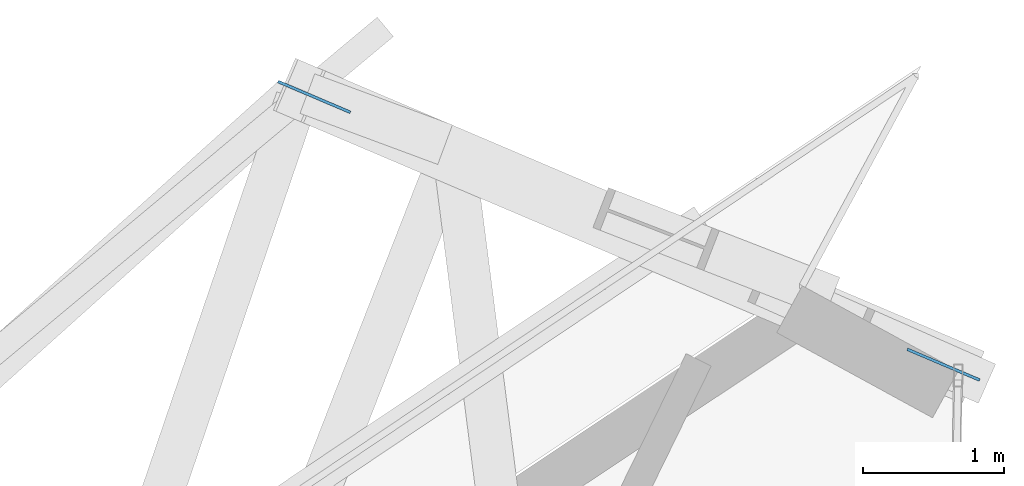
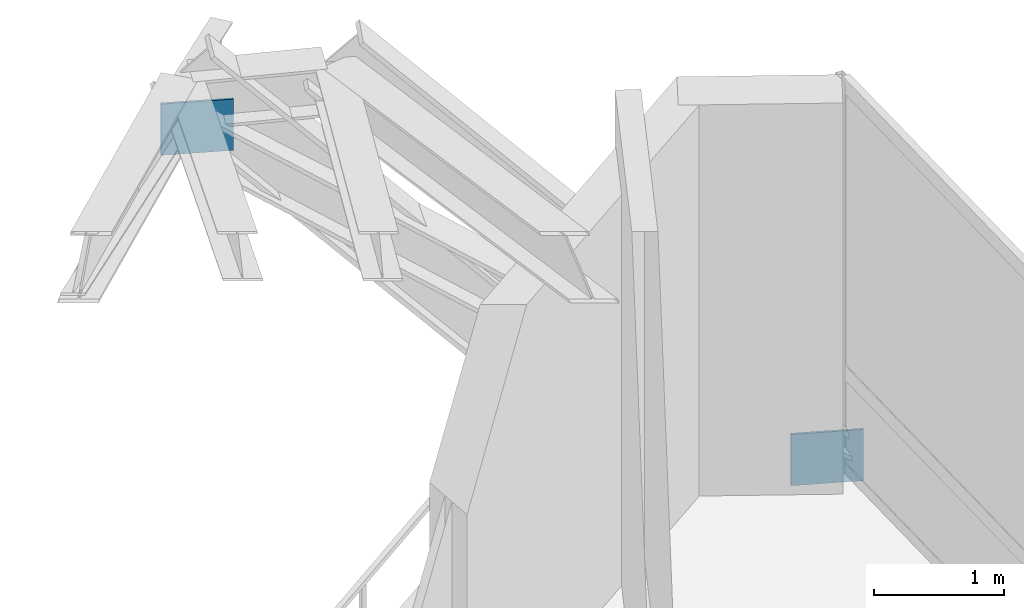
# One storey, part 16 of 22: 2 plates.
"""IFC4 building model written with IfcOpenShell, lengths in metres."""

from ifc_helpers import new_model, si_unit, direction, frame, origin, origin_2d, place, context, subcontext, project, spatial, rectangle, extrude, source, transform, mapped, material, type_object, element, save


model = new_model("IFC4")

# Units and contexts
model_context = context("Model", 3, precision=1e-05, world=origin(), true_north=direction((0.0, 1.0)))
body_context = subcontext(model_context, "Body", "Model", "MODEL_VIEW")
ifc_project = project(units=[si_unit("LENGTHUNIT", "METRE"), si_unit("AREAUNIT", "SQUARE_METRE"), si_unit("VOLUMEUNIT", "CUBIC_METRE"), si_unit("PLANEANGLEUNIT", "RADIAN"), si_unit("MASSUNIT", "GRAM", prefix="KILO")], contexts=[model_context])

# Site, building, storey
site_placement = place(None, origin())
site = spatial("IfcSite", under=ifc_project, at=site_placement, CompositionType="ELEMENT")
building_placement = place(site_placement, origin())
building = spatial("IfcBuilding", under=site, at=building_placement, Name="Olszyna Solenne Hotel", CompositionType="ELEMENT")
storey_placement = place(building_placement, frame((0.0, 0.0, 286.10009765625)))
storey = spatial("IfcBuildingStorey", under=building, at=storey_placement, Name="L76", CompositionType="ELEMENT", Elevation=286.10009765625)

# Plates
ifc_material = material(Name="Steel S355J2", Category="steel")
plate_type = type_object("IfcPlateType", Name="GP-ND2", PredefinedType="USERDEFINED", material=ifc_material)
shared_shape = source(origin(), body_context, "Body", "SweptSolid", [
    extrude(rectangle(XDim=0.56005859375, YDim=0.02001953125, at=origin_2d()), origin(), (0.0, 0.0, 1.0), 0.47998046875),
])
for number, where, z_axis, x_axis, name in (
    (1, (51.220947265625, 49.99609375, -0.148193359375), (0.0, 0.0, 1.0), (-0.920163525759, 0.391534271632, 0.0), "Brace end connection gusset plate GP-ND2 EP-BR-L76-1-1"),
    (2, (46.7421875, 51.901611328125, 3.357177734375), (0.0, 0.0, 1.0), (-0.920163525759, 0.391534271632, 0.0), "Brace end connection gusset plate GP-ND2 EP-BR-L76-1-2"),
):
    element("IfcPlate", number, at=place(storey_placement, frame(where, z_axis=z_axis, x_axis=x_axis)), inside=storey, type_object=plate_type, Name=name, ObjectType="GUSSET_PLATE", PredefinedType="USERDEFINED", context=body_context, shape_type="MappedRepresentation", body=[
        mapped(shared_shape, transform((0.0, 0.0, 0.0), x_axis=(1.0, 0.0, 0.0), y_axis=(0.0, 1.0, 0.0), z_axis=(0.0, 0.0, 1.0), scale=1.0)),
    ])

save(model, "model.ifc")
